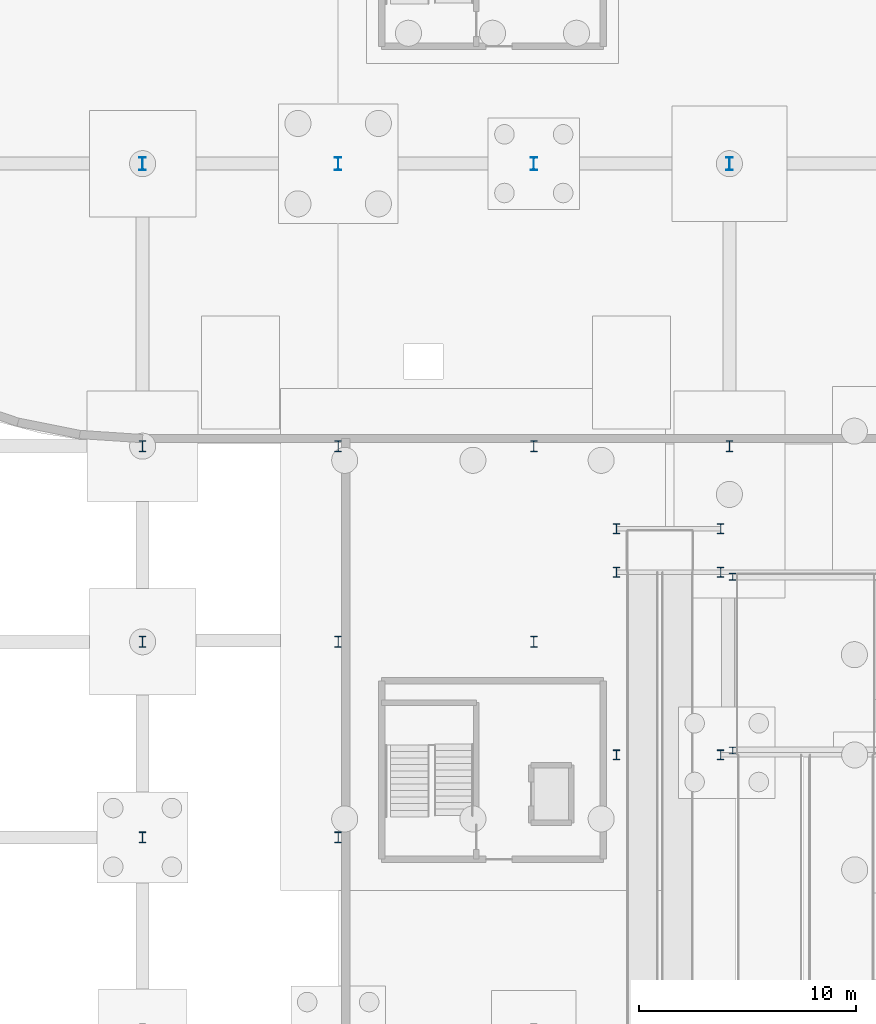
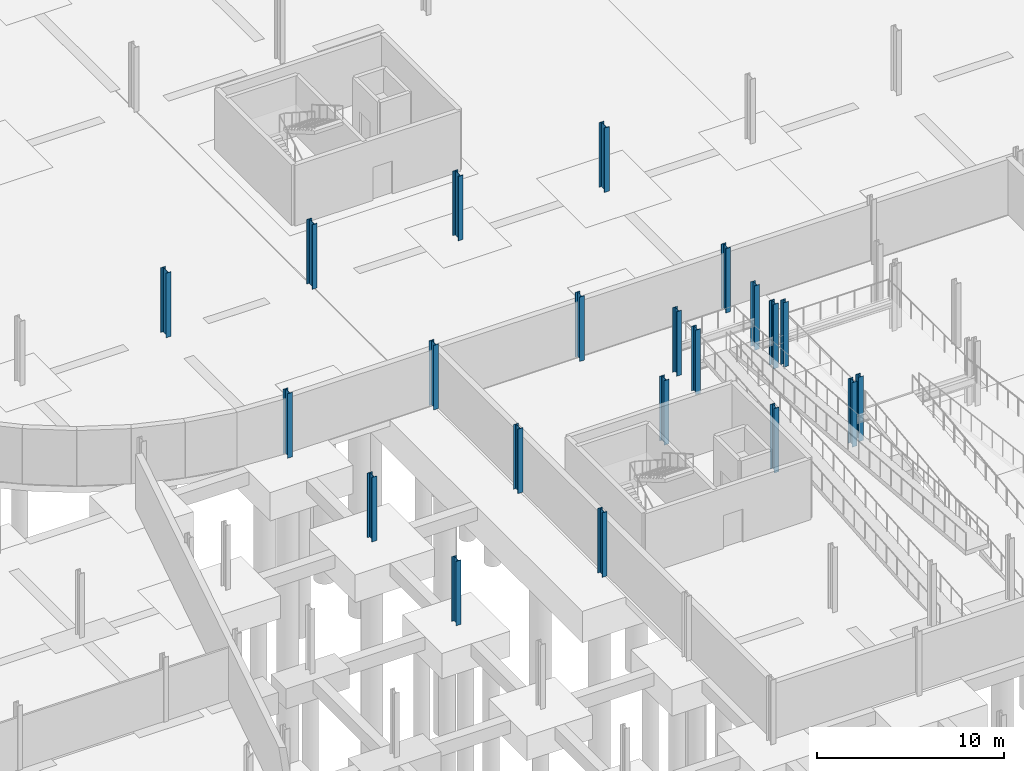
# One storey, part 20 of 42: 21 columns.
"""IFC4 building model written with IfcOpenShell, lengths in metres."""

from ifc_helpers import new_model, si_unit, direction, frame, origin, origin_2d, place, context, subcontext, project, spatial, i_section, extrude, material, material_profile, profile_set, type_object, element, save


model = new_model("IFC4")

# Units and contexts
model_context = context("Model", 3, precision=1e-05, world=origin(), true_north=direction((0.0, 1.0)))
body_context = subcontext(model_context, "Body", "Model", "MODEL_VIEW")
ifc_project = project(units=[si_unit("LENGTHUNIT", "METRE"), si_unit("AREAUNIT", "SQUARE_METRE"), si_unit("VOLUMEUNIT", "CUBIC_METRE"), si_unit("PLANEANGLEUNIT", "RADIAN"), si_unit("MASSUNIT", "GRAM", prefix="KILO")], contexts=[model_context])

# Site, building, storey
site_placement = place(None, origin())
site = spatial("IfcSite", under=ifc_project, at=site_placement, CompositionType="ELEMENT")
building_placement = place(site_placement, origin())
building = spatial("IfcBuilding", under=site, at=building_placement, Name="Deido Ridge Mobility Hub", CompositionType="ELEMENT")
storey_placement = place(building_placement, frame((0.0, 0.0, -4.199951171875)))
storey = spatial("IfcBuildingStorey", under=building, at=storey_placement, Name="B1", CompositionType="ELEMENT", Elevation=-4.199951171875)

# Columns
ifc_material = material(Name="Steel S355J2 EN 10025-2", Category="steel")
ifc_material_profile_1 = material_profile(ifc_material, i_section(OverallWidth=0.300048828125, OverallDepth=0.320068359375, WebThickness=0.011474609375, FlangeThickness=0.0205078125, FilletRadius=0.027099609375, at=origin_2d()), Name="HEB 320")
ifc_profile_set_1 = profile_set([ifc_material_profile_1], Name="Steel S355J2 EN 10025-2")
column_type_1 = type_object("IfcColumnType", Name="COL-HEB320", PredefinedType="COLUMN", material=ifc_profile_set_1)
for number, where, z_axis, x_axis, name in (
    (1, (90.14990234375, 67.0, 0.0), (0.0, 0.0, 1.0), (1.0, 0.0, 0.0), "Structural column C9"),
    (2, (90.14990234375, 75.0, 0.0), (0.0, 0.0, 1.0), (1.0, 0.0, 0.0), "Structural column C9"),
):
    element("IfcColumn", number, at=place(storey_placement, frame(where, z_axis=z_axis, x_axis=x_axis)), inside=storey, type_object=column_type_1, Name=name, PredefinedType="COLUMN", context=body_context, shape_type="SweptSolid", body=[
        extrude(i_section(OverallWidth=0.300048828125, OverallDepth=0.320068359375, WebThickness=0.011474609375, FlangeThickness=0.0205078125, FilletRadius=0.027099609375, at=origin_2d()), origin(), (0.0, 0.0, 1.0), 4.199951171875),
    ])
ifc_material_profile_2 = material_profile(ifc_material, i_section(OverallWidth=0.300048828125, OverallDepth=0.449951171875, WebThickness=0.013916015625, FlangeThickness=0.02587890625, FilletRadius=0.027099609375, at=origin_2d()), Name="HEB 450")
ifc_profile_set_2 = profile_set([ifc_material_profile_2], Name="Steel S355J2 EN 10025-2")
column_type_2 = type_object("IfcColumnType", Name="COL-HEB450", PredefinedType="COLUMN", material=ifc_profile_set_2)
for number, where, z_axis, x_axis, name in (
    (3, (84.800048828125, 66.800048828125, 0.0), (0.0, 0.0, 1.0), (1.0, 0.0, 0.0), "Structural column C6"),
    (4, (84.800048828125, 75.199951171875, 0.0), (0.0, 0.0, 1.0), (1.0, 0.0, 0.0), "Structural column C6"),
    (5, (84.800048828125, 77.199951171875, 0.0), (0.0, 0.0, 1.0), (1.0, 0.0, 0.0), "Structural column C6"),
    (6, (89.60009765625, 66.800048828125, 0.0), (0.0, 0.0, 1.0), (1.0, 0.0, 0.0), "Structural column C6"),
    (7, (89.60009765625, 75.199951171875, 0.0), (0.0, 0.0, 1.0), (1.0, 0.0, 0.0), "Structural column C6"),
    (8, (89.60009765625, 77.199951171875, 0.0), (0.0, 0.0, 1.0), (1.0, 0.0, 0.0), "Structural column C6"),
):
    element("IfcColumn", number, at=place(storey_placement, frame(where, z_axis=z_axis, x_axis=x_axis)), inside=storey, type_object=column_type_2, Name=name, PredefinedType="COLUMN", context=body_context, shape_type="SweptSolid", body=[
        extrude(i_section(OverallWidth=0.300048828125, OverallDepth=0.449951171875, WebThickness=0.013916015625, FlangeThickness=0.02587890625, FilletRadius=0.027099609375, at=origin_2d()), origin(), (0.0, 0.0, 1.0), 4.199951171875),
    ])
ifc_material_profile_3 = material_profile(ifc_material, i_section(OverallWidth=0.300048828125, OverallDepth=0.5, WebThickness=0.014404296875, FlangeThickness=0.028076171875, FilletRadius=0.027099609375, at=origin_2d()), Name="HEB 500")
ifc_profile_set_3 = profile_set([ifc_material_profile_3], Name="Steel S355J2 EN 10025-2")
column_type_3 = type_object("IfcColumnType", Name="COL-HEB500", PredefinedType="COLUMN", material=ifc_profile_set_3)
for number, where, z_axis, x_axis, name in (
    (9, (72.0, 63.0, 0.0), (0.0, 0.0, 1.0), (1.0, 0.0, 0.0), "Structural column C5"),
    (10, (72.0, 72.0, 0.0), (0.0, 0.0, 1.0), (1.0, 0.0, 0.0), "Structural column C5"),
    (11, (72.0, 81.0, 0.0), (0.0, 0.0, 1.0), (1.0, 0.0, 0.0), "Structural column C5"),
    (12, (81.0, 72.0, 0.0), (0.0, 0.0, 1.0), (1.0, 0.0, 0.0), "Structural column C5"),
    (13, (81.0, 81.0, 0.0), (0.0, 0.0, 1.0), (1.0, 0.0, 0.0), "Structural column C5"),
    (14, (63.0, 63.0, 0.0), (0.0, 0.0, 1.0), (1.0, 0.0, 0.0), "Structural column C5"),
    (15, (63.0, 72.0, 0.0), (0.0, 0.0, 1.0), (1.0, 0.0, 0.0), "Structural column C5"),
    (16, (63.0, 81.0, 0.0), (0.0, 0.0, 1.0), (1.0, 0.0, 0.0), "Structural column C5"),
    (17, (90.0, 81.0, 0.0), (0.0, 0.0, 1.0), (1.0, 0.0, 0.0), "Structural column C5"),
):
    element("IfcColumn", number, at=place(storey_placement, frame(where, z_axis=z_axis, x_axis=x_axis)), inside=storey, type_object=column_type_3, Name=name, PredefinedType="COLUMN", context=body_context, shape_type="SweptSolid", body=[
        extrude(i_section(OverallWidth=0.300048828125, OverallDepth=0.5, WebThickness=0.014404296875, FlangeThickness=0.028076171875, FilletRadius=0.027099609375, at=origin_2d()), origin(), (0.0, 0.0, 1.0), 4.199951171875),
    ])
ifc_material_profile_4 = material_profile(ifc_material, i_section(OverallWidth=0.300048828125, OverallDepth=0.60009765625, WebThickness=0.015380859375, FlangeThickness=0.030029296875, FilletRadius=0.027099609375, at=origin_2d()), Name="HEB 600")
ifc_profile_set_4 = profile_set([ifc_material_profile_4], Name="Steel S355J2 EN 10025-2")
column_type_4 = type_object("IfcColumnType", Name="COL-HEB600", PredefinedType="COLUMN", material=ifc_profile_set_4)
for number, where, z_axis, x_axis, name in (
    (18, (63.0, 94.0, 0.0), (0.0, 0.0, 1.0), (1.0, 0.0, 0.0), "Structural column C4"),
    (19, (72.0, 94.0, 0.0), (0.0, 0.0, 1.0), (1.0, 0.0, 0.0), "Structural column C4"),
    (20, (81.0, 94.0, 0.0), (0.0, 0.0, 1.0), (1.0, 0.0, 0.0), "Structural column C4"),
    (21, (90.0, 94.0, 0.0), (0.0, 0.0, 1.0), (1.0, 0.0, 0.0), "Structural column C4"),
):
    element("IfcColumn", number, at=place(storey_placement, frame(where, z_axis=z_axis, x_axis=x_axis)), inside=storey, type_object=column_type_4, Name=name, PredefinedType="COLUMN", context=body_context, shape_type="SweptSolid", body=[
        extrude(i_section(OverallWidth=0.300048828125, OverallDepth=0.60009765625, WebThickness=0.015380859375, FlangeThickness=0.030029296875, FilletRadius=0.027099609375, at=origin_2d()), origin(), (0.0, 0.0, 1.0), 4.199951171875),
    ])

save(model, "model.ifc")
